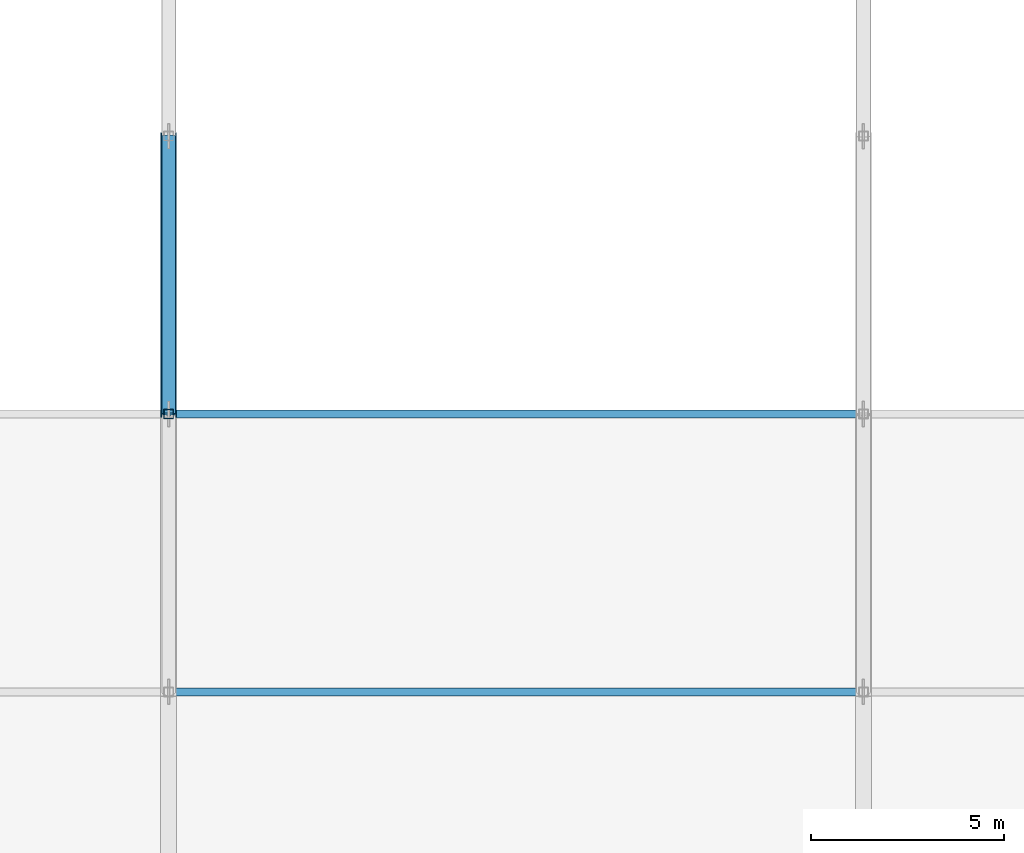
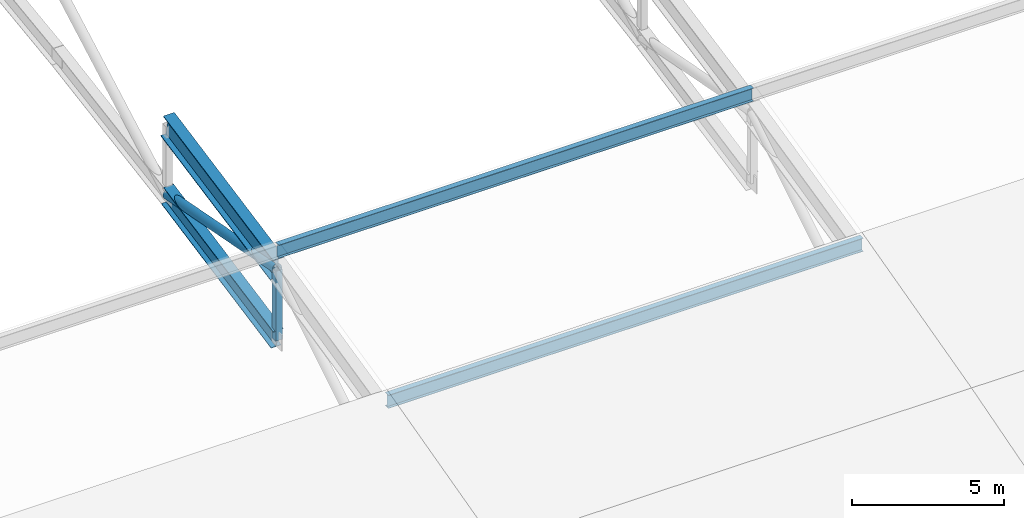
# One storey, part 14 of 124: 6 members.
"""IFC4 building model written with IfcOpenShell, lengths in metres."""

import ifcopenshell
import ifcopenshell.guid

model = None  # the IFC model being written
_history = None  # IfcOwnerHistory: only IFC2X3 demands one
_inside = {}  # id of a spatial element -> (the spatial element, [elements in it])
_under = {}  # id of a project, library or spatial element -> (it, [spatial elements below it])
_declared = {}  # id of a project -> (the project, [libraries it declares])
_typed = {}  # id of a type object -> (the type object, [elements of that type])
_made_of = {}  # id of a material, layer set ... -> (it, [elements and type objects made of it])


def new_model(schema):
    """Start an empty IFC model of exactly this schema.

    Asked for "IFC4X3", IfcOpenShell would pick the latest addendum, in which some entities
    have other attributes; the version numbers below select the first issue.
    IFC2X3 requires an IfcOwnerHistory on every rooted entity: one is made here for all.
    """
    global model, _history
    if schema == "IFC4X3":
        model = ifcopenshell.file(schema_version=(4, 3, 0, 0))
    else:
        model = ifcopenshell.file(schema=schema)
    _inside.clear()
    _under.clear()
    _declared.clear()
    _typed.clear()
    _made_of.clear()
    _history = None
    if model.schema == "IFC2X3":
        org = make("IfcOrganization", Name="unknown")
        user = make(
            "IfcPersonAndOrganization",
            ThePerson=make("IfcPerson", FamilyName="unknown"),
            TheOrganization=org,
        )
        app = make(
            "IfcApplication",
            ApplicationDeveloper=org,
            Version="unknown",
            ApplicationFullName="unknown",
            ApplicationIdentifier="unknown",
        )
        _history = make(
            "IfcOwnerHistory",
            OwningUser=user,
            OwningApplication=app,
            ChangeAction="ADDED",
            CreationDate=0,
        )
    return model


def make(cls, **values):
    """One entity of the class cls with the attributes given. An attribute that is None is left unset."""
    return model.create_entity(
        cls, **{name: value for name, value in values.items() if value is not None}
    )


def rooted(cls, **values):
    """An entity with a GlobalId (a new one), such as an element, a storey or a relation."""
    return make(cls, GlobalId=ifcopenshell.guid.new(), OwnerHistory=_history, **values)


def si_unit(unit_type, name, prefix=None):
    """IfcSIUnit, for example si_unit("LENGTHUNIT", "METRE", prefix="MILLI")."""
    return make("IfcSIUnit", UnitType=unit_type, Prefix=prefix, Name=name)


def assignment(units):
    """IfcUnitAssignment: the units of a project."""
    return None if units is None else make("IfcUnitAssignment", Units=units)


def point(xyz):
    """IfcCartesianPoint."""
    return None if xyz is None else make("IfcCartesianPoint", Coordinates=xyz)


def direction(xyz):
    """IfcDirection."""
    return None if xyz is None else make("IfcDirection", DirectionRatios=xyz)


def frame(location, z_axis=None, x_axis=None):
    """IfcAxis2Placement3D, a coordinate frame: its origin and axes. An axis left out is left unset."""
    return make(
        "IfcAxis2Placement3D",
        Location=point(location),
        Axis=direction(z_axis),
        RefDirection=direction(x_axis),
    )


def frame_2d(location, x_axis=None):
    """IfcAxis2Placement2D, a coordinate frame in the plane: its origin and x axis."""
    return make(
        "IfcAxis2Placement2D", Location=point(location), RefDirection=direction(x_axis)
    )


def origin():
    """The frame at (0, 0, 0) with its axes left unset."""
    return frame((0.0, 0.0, 0.0))


def origin_2d():
    """The frame at (0, 0) in the plane with its x axis left unset."""
    return frame_2d((0.0, 0.0))


def place(relative_to, where):
    """IfcLocalPlacement: puts the frame where relative to a parent placement (None: the world)."""
    return make(
        "IfcLocalPlacement", PlacementRelTo=relative_to, RelativePlacement=where
    )


def context(
    kind, dimensions, precision=None, world=None, true_north=None, identifier=None
):
    """IfcGeometricRepresentationContext, for example the 3D "Model" context."""
    return make(
        "IfcGeometricRepresentationContext",
        ContextIdentifier=identifier,
        ContextType=kind,
        CoordinateSpaceDimension=dimensions,
        Precision=precision,
        WorldCoordinateSystem=world,
        TrueNorth=true_north,
    )


def subcontext(parent, identifier, kind, view, scale=None):
    """IfcGeometricRepresentationSubContext, for example "Body" below "Model"."""
    return make(
        "IfcGeometricRepresentationSubContext",
        ContextIdentifier=identifier,
        ContextType=kind,
        ParentContext=parent,
        TargetScale=scale,
        TargetView=view,
    )


def project(units=None, contexts=None):
    """IfcProject with its units and contexts."""
    return rooted(
        "IfcProject",
        Name="project",
        RepresentationContexts=contexts,
        UnitsInContext=assignment(units),
    )


def spatial(cls, under=None, at=None, **own):
    """A site, building, storey or space (cls), placed at a placement, below another one or the project."""
    s = rooted(cls, ObjectPlacement=at, **own)
    if under is not None:
        _under.setdefault(under.id(), (under, []))[1].append(s)
    return s


def profile(cls, at=None, kind="AREA", **sizes):
    """A parametric profile (cls). Its sizes go by their IFC names, for example OverallWidth=200.0."""
    return make(cls, ProfileType=kind, Position=at, **sizes)


def hollow_rectangle(**sizes):
    """IfcRectangleHollowProfileDef."""
    return profile("IfcRectangleHollowProfileDef", **sizes)


def hollow_circle(**sizes):
    """IfcCircleHollowProfileDef."""
    return profile("IfcCircleHollowProfileDef", **sizes)


def i_section(**sizes):
    """IfcIShapeProfileDef."""
    return profile("IfcIShapeProfileDef", **sizes)


def extrude(swept, where, along, depth):
    """IfcExtrudedAreaSolid: the profile swept, set in the frame where, extruded along a direction by depth."""
    return make(
        "IfcExtrudedAreaSolid",
        SweptArea=swept,
        Position=where,
        ExtrudedDirection=direction(along),
        Depth=depth,
    )


def shape(context_of_items, identifier, shape_type, items):
    """IfcShapeRepresentation: the items that make up one representation, for example the "Body"."""
    return make(
        "IfcShapeRepresentation",
        ContextOfItems=context_of_items,
        RepresentationIdentifier=identifier,
        RepresentationType=shape_type,
        Items=items,
    )


def material(Name=None, Category=None):
    """IfcMaterial."""
    return make("IfcMaterial", Name=Name, Category=Category)


def material_profile(
    of_material, cross_section, Name=None, Category=None, Priority=None
):
    """IfcMaterialProfile: a cross section and its material."""
    return make(
        "IfcMaterialProfile",
        Name=Name,
        Material=of_material,
        Profile=cross_section,
        Priority=Priority,
        Category=Category,
    )


def profile_set(profiles, Name=None, composite=None):
    """IfcMaterialProfileSet."""
    return make(
        "IfcMaterialProfileSet",
        Name=Name,
        MaterialProfiles=profiles,
        CompositeProfile=composite,
    )


def made_of(thing, what):
    """Note that an element or type object is made of a material, layer set ...; save() writes the relation."""
    if what is not None:
        _made_of.setdefault(what.id(), (what, []))[1].append(thing)
    return thing


def type_object(cls, material=None, **own):
    """A type object (cls), such as IfcWallType, which elements share."""
    return made_of(rooted(cls, **own), material)


def element(
    cls,
    number,
    at=None,
    inside=None,
    cuts=None,
    type_object=None,
    material=None,
    context=None,
    identifier="Body",
    shape_type=None,
    held_by="IfcProductDefinitionShape",
    body=None,
    shapes=None,
    **own,
):
    """One element of the class cls, such as IfcWall. Its Tag is "e" and its number.

    at: its placement. inside: the storey or other place that contains it. cuts: it is an
    opening in that element (IfcRelVoidsElement). A single representation is given by context,
    identifier, shape_type and body (its items); several are given by shapes. held_by: the class
    of the entity that holds the representations. save() writes the other relations.
    """
    e = rooted(cls, Tag="e%d" % number, ObjectPlacement=at, **own)
    if body is not None:
        shapes = [shape(context, identifier, shape_type, body)]
    if shapes is not None:
        e.Representation = make(held_by, Representations=shapes)
    if inside is not None:
        _inside.setdefault(inside.id(), (inside, []))[1].append(e)
    if cuts is not None:
        rooted(
            "IfcRelVoidsElement", RelatingBuildingElement=cuts, RelatedOpeningElement=e
        )
    if type_object is not None:
        _typed.setdefault(type_object.id(), (type_object, []))[1].append(e)
    return made_of(e, material)


def aggregate(whole, parts):
    """IfcRelAggregates: a whole, such as a stair, and the parts it consists of."""
    return rooted("IfcRelAggregates", RelatingObject=whole, RelatedObjects=parts)


def save(model, path):
    """Write the relations noted so far, then the file.

    IfcRelAggregates (storeys below a building ...), IfcRelContainedInSpatialStructure (elements
    in a storey), IfcRelDefinesByType, IfcRelAssociatesMaterial and IfcRelDeclares: one each for
    every whole, place, type object, material and project.
    """
    for whole, parts in _under.values():
        aggregate(whole, parts)
    for where, things in _inside.values():
        rooted(
            "IfcRelContainedInSpatialStructure",
            RelatedElements=things,
            RelatingStructure=where,
        )
    for kind, things in _typed.values():
        rooted("IfcRelDefinesByType", RelatedObjects=things, RelatingType=kind)
    for what, things in _made_of.values():
        rooted("IfcRelAssociatesMaterial", RelatedObjects=things, RelatingMaterial=what)
    for by, libraries in _declared.values():
        rooted("IfcRelDeclares", RelatingContext=by, RelatedDefinitions=libraries)
    model.write(path)


model = new_model("IFC4")

# Units and contexts
model_context = context("Model", 3, precision=1e-05, world=origin(), true_north=direction((0.0, 1.0)))
body_context = subcontext(model_context, "Body", "Model", "MODEL_VIEW")
ifc_project = project(units=[si_unit("LENGTHUNIT", "METRE"), si_unit("AREAUNIT", "SQUARE_METRE"), si_unit("VOLUMEUNIT", "CUBIC_METRE"), si_unit("PLANEANGLEUNIT", "RADIAN"), si_unit("MASSUNIT", "GRAM", prefix="KILO")], contexts=[model_context])

# Site, building, storey
site_placement = place(None, origin())
site = spatial("IfcSite", under=ifc_project, at=site_placement, CompositionType="ELEMENT")
building_placement = place(site_placement, origin())
building = spatial("IfcBuilding", under=site, at=building_placement, Name="Celestram Park Convention Centre", CompositionType="ELEMENT")
storey_placement = place(building_placement, frame((0.0, 0.0, 15.300048828125)))
storey = spatial("IfcBuildingStorey", under=building, at=storey_placement, Name="L03", CompositionType="ELEMENT", Elevation=15.300048828125)

# Members
ifc_material_1 = material(Name="Steel ASTM A500 Grade C", Category="steel")
ifc_material_profile_1 = material_profile(ifc_material_1, hollow_circle(Radius=0.177978515625, WallThickness=0.011962890625, at=origin_2d()), Name="CHS356X12")
ifc_profile_set_1 = profile_set([ifc_material_profile_1], Name="Steel ASTM A500 Grade C")
member_type_1 = type_object("IfcMemberType", Name="STR-BRC-CHS356", PredefinedType="BRACE", material=ifc_profile_set_1)
member_1_placement = place(storey_placement, frame((18.0, 43.199951171875, 3.5634765625), z_axis=(0.0, 0.982076449011, -0.188483018595), x_axis=(-1.0, 0.0, 0.0)))
element("IfcMember", 1, at=member_1_placement, inside=storey, type_object=member_type_1, Name="V1 arch web diagonal", PredefinedType="BRACE", context=body_context, shape_type="SweptSolid", body=[
    extrude(hollow_circle(Radius=0.177978515625, WallThickness=0.011962890625, at=origin_2d()), origin(), (0.0, 0.0, 1.0), 7.331298828125),
])
ifc_material_2 = material(Name="Steel ASTM A992 Grade 50", Category="steel")
ifc_material_profile_2 = material_profile(ifc_material_2, i_section(OverallWidth=0.381103515625, OverallDepth=0.77197265625, WebThickness=0.0166015625, FlangeThickness=0.027099609375, at=origin_2d()), Name="W30X173")
ifc_profile_set_2 = profile_set([ifc_material_profile_2], Name="Steel ASTM A992 Grade 50")
member_type_2 = type_object("IfcMemberType", Name="STR-CHD-W30X173", PredefinedType="CHORD", material=ifc_profile_set_2)
member_2_placement = place(storey_placement, frame((18.0, 43.199951171875, 0.763427734375), z_axis=(0.0, 0.981147221646, 0.193261815827), x_axis=(-1.0, 0.0, 0.0)))
element("IfcMember", 2, at=member_2_placement, inside=storey, type_object=member_type_2, Name="V1 arch bottom chord", PredefinedType="CHORD", context=body_context, shape_type="SweptSolid", body=[
    extrude(i_section(OverallWidth=0.381103515625, OverallDepth=0.77197265625, WebThickness=0.0166015625, FlangeThickness=0.027099609375, at=origin_2d()), origin(), (0.0, 0.0, 1.0), 7.33837890625),
])
ifc_material_profile_3 = material_profile(ifc_material_2, i_section(OverallWidth=0.4189453125, OverallDepth=0.927001953125, WebThickness=0.019287109375, FlangeThickness=0.031982421875, at=origin_2d()), Name="W36X231")
ifc_profile_set_3 = profile_set([ifc_material_profile_3], Name="Steel ASTM A992 Grade 50")
member_type_3 = type_object("IfcMemberType", Name="STR-CHD-W36X231", PredefinedType="CHORD", material=ifc_profile_set_3)
member_3_placement = place(storey_placement, frame((18.0, 43.199951171875, 3.5634765625), z_axis=(0.0, 0.981147221646, 0.193261815827), x_axis=(-1.0, 0.0, 0.0)))
element("IfcMember", 3, at=member_3_placement, inside=storey, type_object=member_type_3, Name="V1 arch top chord", PredefinedType="CHORD", context=body_context, shape_type="SweptSolid", body=[
    extrude(i_section(OverallWidth=0.4189453125, OverallDepth=0.927001953125, WebThickness=0.019287109375, FlangeThickness=0.031982421875, at=origin_2d()), origin(), (0.0, 0.0, 1.0), 7.33837890625),
])
ifc_material_profile_4 = material_profile(ifc_material_2, i_section(OverallWidth=0.2099609375, OverallDepth=0.532958984375, WebThickness=0.01025390625, FlangeThickness=0.015625, at=origin_2d()), Name="W21X62")
ifc_profile_set_4 = profile_set([ifc_material_profile_4], Name="Steel ASTM A992 Grade 50")
member_type_4 = type_object("IfcMemberType", Name="STR-RFT-W21X62", PredefinedType="RAFTER", material=ifc_profile_set_4)
for number, where, z_axis, x_axis, name in (
    (4, (18.0, 36.0, 2.645263671875), (1.0, 0.0, 0.0), (0.0, 1.0, 0.0), "V1 roof purlin"),
    (5, (18.0, 43.199951171875, 4.29345703125), (1.0, 0.0, 0.0), (0.0, 1.0, 0.0), "V1 roof purlin"),
):
    element("IfcMember", number, at=place(storey_placement, frame(where, z_axis=z_axis, x_axis=x_axis)), inside=storey, type_object=member_type_4, Name=name, PredefinedType="RAFTER", context=body_context, shape_type="SweptSolid", body=[
        extrude(i_section(OverallWidth=0.2099609375, OverallDepth=0.532958984375, WebThickness=0.01025390625, FlangeThickness=0.015625, at=origin_2d()), origin(), (0.0, 0.0, 1.0), 18.0),
    ])
ifc_material_profile_5 = material_profile(ifc_material_1, hollow_rectangle(XDim=0.25, YDim=0.25, WallThickness=0.011962890625, at=origin_2d()), Name="HSS250X250X12")
ifc_profile_set_5 = profile_set([ifc_material_profile_5], Name="Steel ASTM A500 Grade C")
member_type_5 = type_object("IfcMemberType", Name="STR-STR-HSS250", PredefinedType="STRUT", material=ifc_profile_set_5)
member_4_placement = place(storey_placement, frame((18.0, 43.199951171875, 0.763427734375), z_axis=(0.0, 0.0, 1.0), x_axis=(1.0, 0.0, 0.0)))
element("IfcMember", 6, at=member_4_placement, inside=storey, type_object=member_type_5, Name="V1 arch vertical strut", PredefinedType="STRUT", context=body_context, shape_type="SweptSolid", body=[
    extrude(hollow_rectangle(XDim=0.25, YDim=0.25, WallThickness=0.011962890625, at=origin_2d()), origin(), (0.0, 0.0, 1.0), 2.800048828125),
])

save(model, "model.ifc")
